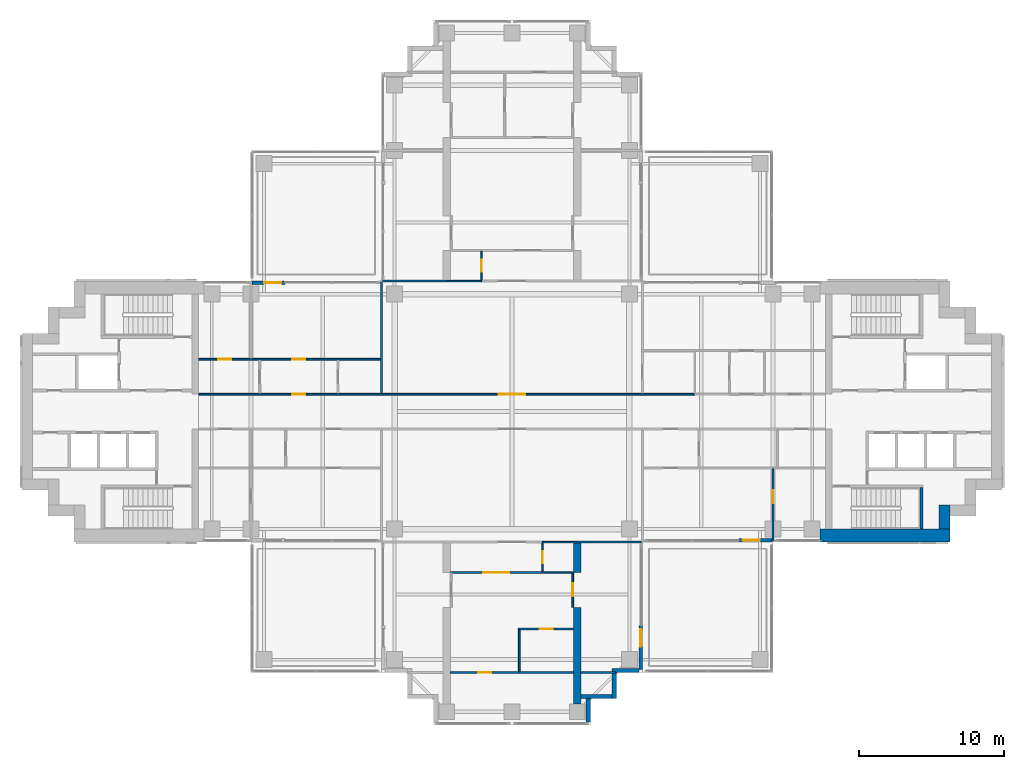
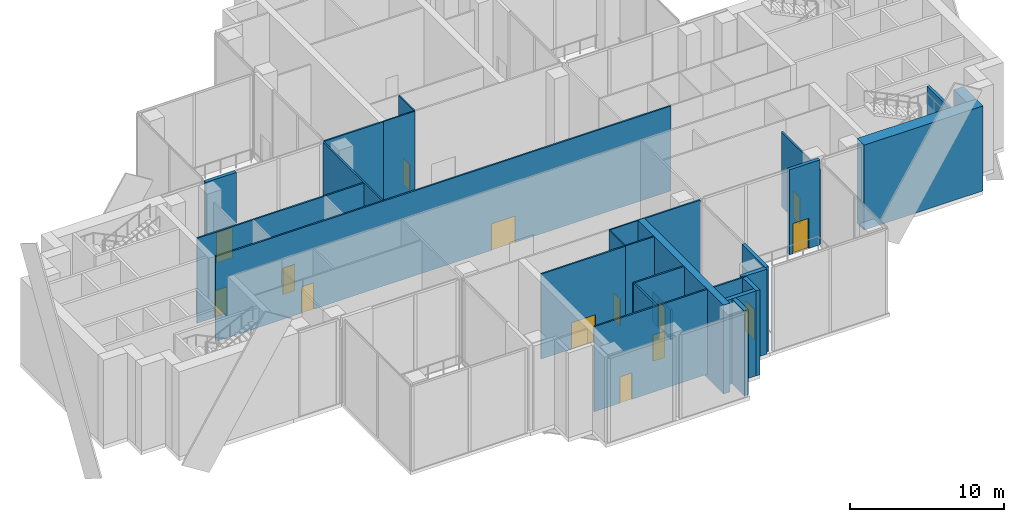
# One storey, part 10 of 17: 28 walls, 14 doors, 14 openings.
"""IFC4 building model written with IfcOpenShell, lengths in metres."""

from ifc_helpers import new_model, si_unit, direction, frame, frame_2d, origin, place, context, subcontext, project, spatial, polyline, rectangle, outline, extrude, material, layer, layer_set, material_profile, profile_set, type_object, element, fill, save


model = new_model("IFC4")

# Units and contexts
model_context = context("Model", 3, precision=1e-05, world=origin(), true_north=direction((0.0, 1.0)))
body_context = subcontext(model_context, "Body", "Model", "MODEL_VIEW")
ifc_project = project(units=[si_unit("LENGTHUNIT", "METRE"), si_unit("AREAUNIT", "SQUARE_METRE"), si_unit("VOLUMEUNIT", "CUBIC_METRE"), si_unit("PLANEANGLEUNIT", "RADIAN"), si_unit("MASSUNIT", "GRAM", prefix="KILO")], contexts=[model_context])

# Site, building, storey
site_placement = place(None, origin())
site = spatial("IfcSite", under=ifc_project, at=site_placement, CompositionType="ELEMENT")
building_placement = place(site_placement, origin())
building = spatial("IfcBuilding", under=site, at=building_placement, Name="Perihelion Cross Residences", CompositionType="ELEMENT")
storey_placement = place(building_placement, frame((0.0, 0.0, 154.89990234375)))
storey = spatial("IfcBuildingStorey", under=building, at=storey_placement, Name="L38", CompositionType="ELEMENT", Elevation=154.89990234375)

# Wall, opening, door
ifc_material_1 = material(Name="Concrete C30/37, bronze-clad", Category="concrete")
ifc_layer_1 = layer(ifc_material_1, 0.25)
ifc_layer_set_1 = layer_set([ifc_layer_1], Name="Bronze-clad pier wall 250")
wall_type_1 = type_object("IfcWallType", Name="Bronze-clad pier wall 250", PredefinedType="SOLIDWALL", material=ifc_layer_set_1)
wall_1_placement = place(storey_placement, frame((-15.64990234375, 8.875, 0.0), z_axis=(0.0, 0.0, 1.0), x_axis=(-1.0, 0.0, 0.0)))
wall_1 = element("IfcWall", 1, at=wall_1_placement, inside=storey, type_object=wall_type_1, Name="Wall FW1 L38 west side north bay 1 pier", PredefinedType="SOLIDWALL", context=body_context, shape_type="SweptSolid", body=[
    extrude(rectangle(XDim=2.2900390625, YDim=0.25, at=frame_2d((1.14501953125, 0.0))), origin(), (0.0, 0.0, 1.0), 6.75),
])
opening_1_placement = place(wall_1_placement, frame((0.25, 0.0, 0.0)))
opening_1 = element("IfcOpeningElement", 2, at=opening_1_placement, cuts=wall_1, Name="Opening L38.E04", PredefinedType="OPENING", context=body_context, shape_type="SweptSolid", body=[
    extrude(rectangle(XDim=1.199951171875, YDim=2.39990234375, at=frame_2d((0.60009765625, 1.199951171875))), frame((0.0, 0.135009765625, 0.0), z_axis=(0.0, -1.0, 0.0), x_axis=(1.0, 0.0, 0.0)), (0.0, 0.0, 1.0), 0.27001953125),
])
ifc_material_2 = material(Name="Bronze anodised aluminium, glazed", Category="aluminium")
door_type_1 = type_object("IfcDoorType", Name="Balcony door 1200 x 2400", OperationType="NOTDEFINED", PredefinedType="DOOR", material=ifc_material_2)
door_1_placement = place(opening_1_placement, origin())
door_1 = element("IfcDoor", 3, at=door_1_placement, inside=storey, type_object=door_type_1, Name="Door L38.E04 west side north bay 1", OperationType="SINGLE_SWING_LEFT", OverallHeight=2.39990234375, OverallWidth=1.199951171875, PredefinedType="DOOR", context=body_context, shape_type="SweptSolid", body=[
    extrude(rectangle(XDim=1.199951171875, YDim=2.39990234375, at=frame_2d((0.60009765625, 1.199951171875))), frame((0.0, 0.02490234375, 0.0), z_axis=(0.0, -1.0, 0.0), x_axis=(1.0, 0.0, 0.0)), (0.0, 0.0, 1.0), 0.050048828125),
])
fill(opening_1, door_1)

wall_2_placement = place(storey_placement, frame((8.875, -17.800048828125, 0.0), z_axis=(0.0, 0.0, 1.0), x_axis=(0.0, 1.0, 0.0)))
wall_2 = element("IfcWall", 4, at=wall_2_placement, inside=storey, type_object=wall_type_1, Name="Wall FW1 L38 south side east bay 1 pier", PredefinedType="SOLIDWALL", context=body_context, shape_type="SweptSolid", body=[
    extrude(rectangle(XDim=3.050048828125, YDim=0.25, at=frame_2d((1.52490234375, 0.0))), origin(), (0.0, 0.0, 1.0), 6.75),
])
opening_2_placement = place(wall_2_placement, frame((1.60009765625, 0.0, 0.0)))
opening_2 = element("IfcOpeningElement", 5, at=opening_2_placement, cuts=wall_2, Name="Opening L38.E07", PredefinedType="OPENING", context=body_context, shape_type="SweptSolid", body=[
    extrude(rectangle(XDim=1.199951171875, YDim=2.39990234375, at=frame_2d((0.60009765625, 1.199951171875))), frame((0.0, 0.135009765625, 0.0), z_axis=(0.0, -1.0, 0.0), x_axis=(1.0, 0.0, 0.0)), (0.0, 0.0, 1.0), 0.27001953125),
])
door_2_placement = place(opening_2_placement, origin())
door_2 = element("IfcDoor", 6, at=door_2_placement, inside=storey, type_object=door_type_1, Name="Door L38.E07 south side east bay 1", OperationType="SINGLE_SWING_RIGHT", OverallHeight=2.39990234375, OverallWidth=1.199951171875, PredefinedType="DOOR", context=body_context, shape_type="SweptSolid", body=[
    extrude(rectangle(XDim=1.199951171875, YDim=2.39990234375, at=frame_2d((0.60009765625, 1.199951171875))), frame((0.0, 0.02490234375, 0.0), z_axis=(0.0, -1.0, 0.0), x_axis=(1.0, 0.0, 0.0)), (0.0, 0.0, 1.0), 0.050048828125),
])
fill(opening_2, door_2)

wall_3_placement = place(storey_placement, frame((15.64990234375, -8.875, 0.0), z_axis=(0.0, 0.0, 1.0), x_axis=(1.0, 0.0, 0.0)))
wall_3 = element("IfcWall", 7, at=wall_3_placement, inside=storey, type_object=wall_type_1, Name="Wall FW1 L38 east side south bay 1 pier", PredefinedType="SOLIDWALL", context=body_context, shape_type="SweptSolid", body=[
    extrude(rectangle(XDim=2.2900390625, YDim=0.25, at=frame_2d((1.14501953125, 0.0))), origin(), (0.0, 0.0, 1.0), 6.75),
])
opening_3_placement = place(wall_3_placement, frame((0.25, 0.0, 0.0)))
opening_3 = element("IfcOpeningElement", 8, at=opening_3_placement, cuts=wall_3, Name="Opening L38.E08", PredefinedType="OPENING", context=body_context, shape_type="SweptSolid", body=[
    extrude(rectangle(XDim=1.199951171875, YDim=2.39990234375, at=frame_2d((0.60009765625, 1.199951171875))), frame((0.0, 0.135009765625, 0.0), z_axis=(0.0, -1.0, 0.0), x_axis=(1.0, 0.0, 0.0)), (0.0, 0.0, 1.0), 0.27001953125),
])
door_3_placement = place(opening_3_placement, origin())
door_3 = element("IfcDoor", 9, at=door_3_placement, inside=storey, type_object=door_type_1, Name="Door L38.E08 east side south bay 1", OperationType="SINGLE_SWING_LEFT", OverallHeight=2.39990234375, OverallWidth=1.199951171875, PredefinedType="DOOR", context=body_context, shape_type="SweptSolid", body=[
    extrude(rectangle(XDim=1.199951171875, YDim=2.39990234375, at=frame_2d((0.60009765625, 1.199951171875))), frame((0.0, 0.02490234375, 0.0), z_axis=(0.0, -1.0, 0.0), x_axis=(1.0, 0.0, 0.0)), (0.0, 0.0, 1.0), 0.050048828125),
])
fill(opening_3, door_3)

# Walls
ifc_material_3 = material(Name="Concrete C30/37, bronze-clad", Category="concrete")
ifc_layer_2 = layer(ifc_material_3, 0.300048828125)
ifc_layer_set_2 = layer_set([ifc_layer_2], Name="Bronze-clad serration wall 300")
wall_type_2 = type_object("IfcWallType", Name="Bronze-clad serration wall 300", PredefinedType="SOLIDWALL", material=ifc_layer_set_2)
wall_4_placement = place(storey_placement, frame((5.25, -21.389892578125, 0.0), z_axis=(0.0, 0.0, 1.0), x_axis=(0.0, 1.0, 0.0)))
element("IfcWall", 10, at=wall_4_placement, inside=storey, type_object=wall_type_2, Name="Wall SR1 L38 south corner south-east 1", PredefinedType="SOLIDWALL", context=body_context, shape_type="SweptSolid", body=[
    extrude(rectangle(XDim=1.58984375, YDim=0.300048828125, at=frame_2d((0.794921875, 0.0))), origin(), (0.0, 0.0, 1.0), 6.75),
])
wall_5_placement = place(storey_placement, frame((4.75, -19.64990234375, 0.0), z_axis=(0.0, 0.0, 1.0), x_axis=(1.0, 0.0, 0.0)))
element("IfcWall", 11, at=wall_5_placement, inside=storey, type_object=wall_type_2, Name="Wall SR1 L38 south corner south-east 2", PredefinedType="SOLIDWALL", context=body_context, shape_type="SweptSolid", body=[
    extrude(rectangle(XDim=2.14990234375, YDim=0.300048828125, at=frame_2d((1.074951171875, 0.0))), origin(), (0.0, 0.0, 1.0), 6.75),
])
wall_6_placement = place(storey_placement, frame((7.050048828125, -19.800048828125, 0.0), z_axis=(0.0, 0.0, 1.0), x_axis=(0.0, 1.0, 0.0)))
element("IfcWall", 12, at=wall_6_placement, inside=storey, type_object=wall_type_2, Name="Wall SR1 L38 south corner south-east 3", PredefinedType="SOLIDWALL", context=body_context, shape_type="SweptSolid", body=[
    extrude(rectangle(XDim=1.800048828125, YDim=0.300048828125, at=frame_2d((0.89990234375, 0.0))), origin(), (0.0, 0.0, 1.0), 6.75),
])
wall_7_placement = place(storey_placement, frame((6.89990234375, -17.85009765625, 0.0), z_axis=(0.0, 0.0, 1.0), x_axis=(1.0, 0.0, 0.0)))
element("IfcWall", 13, at=wall_7_placement, inside=storey, type_object=wall_type_2, Name="Wall SR1 L38 south corner south-east 4", PredefinedType="SOLIDWALL", context=body_context, shape_type="SweptSolid", body=[
    extrude(rectangle(XDim=1.85009765625, YDim=0.300048828125, at=frame_2d((0.925048828125, 0.0))), origin(), (0.0, 0.0, 1.0), 6.75),
])
ifc_material_4 = material(Name="Concrete C60/75", Category="concrete")
ifc_layer_3 = layer(ifc_material_4, 0.75)
ifc_layer_set_3 = layer_set([ifc_layer_3], Name="Core wall, outer 750")
wall_type_3 = type_object("IfcWallType", Name="Core wall, outer 750", PredefinedType="SHEAR", material=ifc_layer_set_3)
wall_8_placement = place(storey_placement, frame((29.824951171875, -8.10009765625, 0.0), z_axis=(0.0, 0.0, 1.0), x_axis=(0.0, 1.0, 0.0)))
element("IfcWall", 14, at=wall_8_placement, inside=storey, type_object=wall_type_3, Name="East core core wall, outer", PredefinedType="SHEAR", context=body_context, shape_type="SweptSolid", body=[
    extrude(rectangle(XDim=1.650146484375, YDim=0.75, at=frame_2d((0.8251953125, 0.0))), origin(), (0.0, 0.0, 1.0), 6.75),
])
ifc_material_5 = material(Name="Concrete C60/75", Category="concrete")
ifc_layer_4 = layer(ifc_material_5, 0.89990234375)
ifc_layer_set_4 = layer_set([ifc_layer_4], Name="Core wall, outer 900")
wall_type_4 = type_object("IfcWallType", Name="Core wall, outer 900", PredefinedType="SHEAR", material=ifc_layer_set_4)
wall_9_placement = place(storey_placement, frame((21.25, -8.550048828125, 0.0), z_axis=(0.0, 0.0, 1.0), x_axis=(1.0, 0.0, 0.0)))
element("IfcWall", 15, at=wall_9_placement, inside=storey, type_object=wall_type_4, Name="East core core wall, outer", PredefinedType="SHEAR", context=body_context, shape_type="SweptSolid", body=[
    extrude(rectangle(XDim=8.949951171875, YDim=0.89990234375, at=frame_2d((4.47509765625, 0.0))), origin(), (0.0, 0.0, 1.0), 6.75),
])

# Wall, opening, door
ifc_material_6 = material(Name="Plasterboard partition")
ifc_layer_5 = layer(ifc_material_6, 0.1201171875)
ifc_layer_set_5 = layer_set([ifc_layer_5], Name="Infill panel 120")
wall_type_5 = type_object("IfcWallType", Name="Infill panel 120", PredefinedType="PARTITIONING", material=ifc_layer_set_5)
wall_10_placement = place(storey_placement, frame((4.18994140625, -11.10009765625, 0.0), z_axis=(0.0, 0.0, 1.0), x_axis=(0.0, -1.0, 0.0)))
wall_10 = element("IfcWall", 16, at=wall_10_placement, inside=storey, type_object=wall_type_5, Name="Partition L38 WI05", PredefinedType="PARTITIONING", context=body_context, shape_type="SweptSolid", body=[
    extrude(rectangle(XDim=2.39990234375, YDim=0.1201171875, at=frame_2d((1.199951171875, 0.0))), origin(), (0.0, 0.0, 1.0), 2.400146484375),
])
opening_4_placement = place(wall_10_placement, frame((0.75, 0.0, 0.0)))
opening_4 = element("IfcOpeningElement", 17, at=opening_4_placement, cuts=wall_10, Name="Opening L38.A38", PredefinedType="OPENING", context=body_context, shape_type="SweptSolid", body=[
    extrude(rectangle(XDim=0.89990234375, YDim=2.10009765625, at=frame_2d((0.449951171875, 1.050048828125))), frame((0.0, 0.070068359375, 0.0), z_axis=(0.0, -1.0, 0.0), x_axis=(1.0, 0.0, 0.0)), (0.0, 0.0, 1.0), 0.14013671875),
])
ifc_material_7 = material(Name="Timber door leaf", Category="wood")
door_type_2 = type_object("IfcDoorType", Name="Interior room door 900 x 2100", OperationType="SINGLE_SWING_LEFT", PredefinedType="DOOR", material=ifc_material_7)
door_4_placement = place(opening_4_placement, origin())
door_4 = element("IfcDoor", 18, at=door_4_placement, inside=storey, type_object=door_type_2, Name="Door L38.A38", OperationType="SINGLE_SWING_LEFT", OverallHeight=2.10009765625, OverallWidth=0.89990234375, PredefinedType="DOOR", context=body_context, shape_type="SweptSolid", body=[
    extrude(rectangle(XDim=0.89990234375, YDim=2.10009765625, at=frame_2d((0.449951171875, 1.050048828125))), frame((0.0, 0.02490234375, 0.0), z_axis=(0.0, -1.0, 0.0), x_axis=(1.0, 0.0, 0.0)), (0.0, 0.0, 1.0), 0.050048828125),
])
fill(opening_4, door_4)

# Wall, openings, doors
ifc_material_8 = material(Name="Plasterboard partition")
ifc_layer_6 = layer(ifc_material_8, 0.1201171875)
ifc_layer_set_6 = layer_set([ifc_layer_6], Name="Partition wall 120")
wall_type_6 = type_object("IfcWallType", Name="Partition wall 120", PredefinedType="PARTITIONING", material=ifc_layer_set_6)
wall_11_placement = place(storey_placement, frame((-21.60009765625, 1.199951171875, 0.0), z_axis=(0.0, 0.0, 1.0), x_axis=(1.0, 0.0, 0.0)))
wall_11 = element("IfcWall", 19, at=wall_11_placement, inside=storey, type_object=wall_type_6, Name="Partition L38 W001", PredefinedType="PARTITIONING", context=body_context, shape_type="SweptSolid", body=[
    extrude(rectangle(XDim=34.2001953125, YDim=0.1201171875, at=frame_2d((17.10009765625, 0.0))), origin(), (0.0, 0.0, 1.0), 6.75),
])
opening_5_placement = place(wall_11_placement, frame((20.699951171875, 0.0, 0.0)))
opening_5 = element("IfcOpeningElement", 20, at=opening_5_placement, cuts=wall_11, Name="Opening L38.A01", PredefinedType="OPENING", context=body_context, shape_type="SweptSolid", body=[
    extrude(rectangle(XDim=1.800048828125, YDim=2.10009765625, at=frame_2d((0.89990234375, 1.050048828125))), frame((0.0, 0.070068359375, 0.0), z_axis=(0.0, -1.0, 0.0), x_axis=(1.0, 0.0, 0.0)), (0.0, 0.0, 1.0), 0.14013671875),
])
opening_6_placement = place(wall_11_placement, frame((6.449951171875, 0.0, 0.0)))
opening_6 = element("IfcOpeningElement", 21, at=opening_6_placement, cuts=wall_11, Name="Opening L38.A07", PredefinedType="OPENING", context=body_context, shape_type="SweptSolid", body=[
    extrude(rectangle(XDim=0.89990234375, YDim=2.10009765625, at=frame_2d((0.449951171875, 1.050048828125))), frame((0.0, 0.070068359375, 0.0), z_axis=(0.0, -1.0, 0.0), x_axis=(1.0, 0.0, 0.0)), (0.0, 0.0, 1.0), 0.14013671875),
])
ifc_material_9 = material(Name="Glazed timber door leaf", Category="wood")
door_type_3 = type_object("IfcDoorType", Name="Interior double leaf door 1800 x 2100", OperationType="DOUBLE_DOOR_SINGLE_SWING", PredefinedType="DOOR", material=ifc_material_9)
door_5_placement = place(opening_5_placement, origin())
door_5 = element("IfcDoor", 22, at=door_5_placement, inside=storey, type_object=door_type_3, Name="Door L38.A01", OperationType="SINGLE_SWING_LEFT", OverallHeight=2.10009765625, OverallWidth=1.800048828125, PredefinedType="DOOR", context=body_context, shape_type="SweptSolid", body=[
    extrude(rectangle(XDim=1.800048828125, YDim=2.10009765625, at=frame_2d((0.89990234375, 1.050048828125))), frame((0.0, 0.02490234375, 0.0), z_axis=(0.0, -1.0, 0.0), x_axis=(1.0, 0.0, 0.0)), (0.0, 0.0, 1.0), 0.050048828125),
])
fill(opening_5, door_5)
door_6_placement = place(opening_6_placement, origin())
door_6 = element("IfcDoor", 23, at=door_6_placement, inside=storey, type_object=door_type_2, Name="Door L38.A07", OperationType="SINGLE_SWING_LEFT", OverallHeight=2.10009765625, OverallWidth=0.89990234375, PredefinedType="DOOR", context=body_context, shape_type="SweptSolid", body=[
    extrude(rectangle(XDim=0.89990234375, YDim=2.10009765625, at=frame_2d((0.449951171875, 1.050048828125))), frame((0.0, 0.02490234375, 0.0), z_axis=(0.0, -1.0, 0.0), x_axis=(1.0, 0.0, 0.0)), (0.0, 0.0, 1.0), 0.050048828125),
])
fill(opening_6, door_6)

# Walls
wall_12_placement = place(storey_placement, frame((-9.0, 1.260009765625, 0.0), z_axis=(0.0, 0.0, 1.0), x_axis=(0.0, 1.0, 0.0)))
element("IfcWall", 24, at=wall_12_placement, inside=storey, type_object=wall_type_6, Name="Partition L38 W009", PredefinedType="PARTITIONING", context=body_context, shape_type="SweptSolid", body=[
    extrude(rectangle(XDim=7.659912109375, YDim=0.1201171875, at=frame_2d((3.830078125, 0.0))), origin(), (0.0, 0.0, 1.0), 6.75),
])
for number, where, z_axis, x_axis, name in (
    (25, (-8.919921875, 9.0, 0.0), (0.0, 0.0, 1.0), (1.0, 0.0, 0.0), "Partition L38 W012"),
    (26, (8.919921875, -9.0, 0.0), (0.0, 0.0, 1.0), (-1.0, 0.0, 0.0), "Partition L38 W017"),
):
    element("IfcWall", number, at=place(storey_placement, frame(where, z_axis=z_axis, x_axis=x_axis)), inside=storey, type_object=wall_type_6, Name=name, PredefinedType="PARTITIONING", context=body_context, shape_type="SweptSolid", body=[
        extrude(rectangle(XDim=4.419921875, YDim=0.1201171875, at=frame_2d((2.2099609375, 0.0))), origin(), (0.0, 0.0, 1.0), 6.75),
    ])

# Wall, opening, door
wall_13_placement = place(storey_placement, frame((18.0, -3.9599609375, 0.0), z_axis=(0.0, 0.0, 1.0), x_axis=(0.0, -1.0, 0.0)))
wall_13 = element("IfcWall", 27, at=wall_13_placement, inside=storey, type_object=wall_type_6, Name="Partition L38 W025", PredefinedType="PARTITIONING", context=body_context, shape_type="SweptSolid", body=[
    extrude(rectangle(XDim=4.9599609375, YDim=0.1201171875, at=frame_2d((2.47998046875, 0.0))), origin(), (0.0, 0.0, 1.0), 5.9140625),
])
opening_7_placement = place(wall_13_placement, frame((1.469970703125, 0.0, 0.0)))
opening_7 = element("IfcOpeningElement", 28, at=opening_7_placement, cuts=wall_13, Name="Opening L38.A21", PredefinedType="OPENING", context=body_context, shape_type="SweptSolid", body=[
    extrude(rectangle(XDim=0.89990234375, YDim=2.10009765625, at=frame_2d((0.449951171875, 1.050048828125))), frame((0.0, 0.070068359375, 0.0), z_axis=(0.0, -1.0, 0.0), x_axis=(1.0, 0.0, 0.0)), (0.0, 0.0, 1.0), 0.14013671875),
])
door_7_placement = place(opening_7_placement, origin())
door_7 = element("IfcDoor", 29, at=door_7_placement, inside=storey, type_object=door_type_2, Name="Door L38.A21", OperationType="SINGLE_SWING_LEFT", OverallHeight=2.10009765625, OverallWidth=0.89990234375, PredefinedType="DOOR", context=body_context, shape_type="SweptSolid", body=[
    extrude(rectangle(XDim=0.89990234375, YDim=2.10009765625, at=frame_2d((0.449951171875, 1.050048828125))), frame((0.0, 0.02490234375, 0.0), z_axis=(0.0, -1.0, 0.0), x_axis=(1.0, 0.0, 0.0)), (0.0, 0.0, 1.0), 0.050048828125),
])
fill(opening_7, door_7)

# Wall, openings, doors
wall_14_placement = place(storey_placement, frame((-8.93994140625, 3.60009765625, 0.0), z_axis=(0.0, 0.0, 1.0), x_axis=(-1.0, 0.0, 0.0)))
wall_14 = element("IfcWall", 30, at=wall_14_placement, inside=storey, type_object=wall_type_6, Name="Partition L38 W031", PredefinedType="PARTITIONING", context=body_context, shape_type="SweptSolid", body=[
    extrude(rectangle(XDim=12.66015625, YDim=0.1201171875, at=frame_2d((6.330078125, 0.0))), origin(), (0.0, 0.0, 1.0), 6.75),
])
opening_8_placement = place(wall_14_placement, frame((10.409912109375, 0.0, 0.0)))
opening_8 = element("IfcOpeningElement", 31, at=opening_8_placement, cuts=wall_14, Name="Opening L38.A17", PredefinedType="OPENING", context=body_context, shape_type="SweptSolid", body=[
    extrude(rectangle(XDim=0.89990234375, YDim=2.10009765625, at=frame_2d((0.449951171875, 1.050048828125))), frame((0.0, 0.070068359375, 0.0), z_axis=(0.0, -1.0, 0.0), x_axis=(1.0, 0.0, 0.0)), (0.0, 0.0, 1.0), 0.14013671875),
])
opening_9_placement = place(wall_14_placement, frame((5.31005859375, 0.0, 0.0)))
opening_9 = element("IfcOpeningElement", 32, at=opening_9_placement, cuts=wall_14, Name="Opening L38.A18", PredefinedType="OPENING", context=body_context, shape_type="SweptSolid", body=[
    extrude(rectangle(XDim=0.89990234375, YDim=2.10009765625, at=frame_2d((0.449951171875, 1.050048828125))), frame((0.0, 0.070068359375, 0.0), z_axis=(0.0, -1.0, 0.0), x_axis=(1.0, 0.0, 0.0)), (0.0, 0.0, 1.0), 0.14013671875),
])
door_8_placement = place(opening_8_placement, origin())
door_8 = element("IfcDoor", 33, at=door_8_placement, inside=storey, type_object=door_type_2, Name="Door L38.A17", OperationType="SINGLE_SWING_LEFT", OverallHeight=2.10009765625, OverallWidth=0.89990234375, PredefinedType="DOOR", context=body_context, shape_type="SweptSolid", body=[
    extrude(rectangle(XDim=0.89990234375, YDim=2.10009765625, at=frame_2d((0.449951171875, 1.050048828125))), frame((0.0, 0.02490234375, 0.0), z_axis=(0.0, -1.0, 0.0), x_axis=(1.0, 0.0, 0.0)), (0.0, 0.0, 1.0), 0.050048828125),
])
fill(opening_8, door_8)
door_9_placement = place(opening_9_placement, origin())
door_9 = element("IfcDoor", 34, at=door_9_placement, inside=storey, type_object=door_type_2, Name="Door L38.A18", OperationType="SINGLE_SWING_RIGHT", OverallHeight=2.10009765625, OverallWidth=0.89990234375, PredefinedType="DOOR", context=body_context, shape_type="SweptSolid", body=[
    extrude(rectangle(XDim=0.89990234375, YDim=2.10009765625, at=frame_2d((0.449951171875, 1.050048828125))), frame((0.0, 0.02490234375, 0.0), z_axis=(0.0, -1.0, 0.0), x_axis=(1.0, 0.0, 0.0)), (0.0, 0.0, 1.0), 0.050048828125),
])
fill(opening_9, door_9)

# Wall, opening, door
wall_15_placement = place(storey_placement, frame((2.10009765625, -11.10009765625, 0.0), z_axis=(0.0, 0.0, 1.0), x_axis=(-1.0, 0.0, 0.0)))
wall_15 = element("IfcWall", 35, at=wall_15_placement, inside=storey, type_object=wall_type_6, Name="Partition L38 W050", PredefinedType="PARTITIONING", context=body_context, shape_type="SweptSolid", body=[
    extrude(rectangle(XDim=6.35009765625, YDim=0.1201171875, at=frame_2d((3.175048828125, 0.0))), origin(), (0.0, 0.0, 1.0), 6.75),
])
opening_10_placement = place(wall_15_placement, frame((2.27490234375, 0.0, 0.0)))
opening_10 = element("IfcOpeningElement", 36, at=opening_10_placement, cuts=wall_15, Name="Opening L38.A31", PredefinedType="OPENING", context=body_context, shape_type="SweptSolid", body=[
    extrude(rectangle(XDim=1.800048828125, YDim=2.10009765625, at=frame_2d((0.89990234375, 1.050048828125))), frame((0.0, 0.070068359375, 0.0), z_axis=(0.0, -1.0, 0.0), x_axis=(1.0, 0.0, 0.0)), (0.0, 0.0, 1.0), 0.14013671875),
])
door_10_placement = place(opening_10_placement, origin())
door_10 = element("IfcDoor", 37, at=door_10_placement, inside=storey, type_object=door_type_3, Name="Door L38.A31", OperationType="SINGLE_SWING_LEFT", OverallHeight=2.10009765625, OverallWidth=1.800048828125, PredefinedType="DOOR", context=body_context, shape_type="SweptSolid", body=[
    extrude(rectangle(XDim=1.800048828125, YDim=2.10009765625, at=frame_2d((0.89990234375, 1.050048828125))), frame((0.0, 0.02490234375, 0.0), z_axis=(0.0, -1.0, 0.0), x_axis=(1.0, 0.0, 0.0)), (0.0, 0.0, 1.0), 0.050048828125),
])
fill(opening_10, door_10)

wall_16_placement = place(storey_placement, frame((4.25, -15.0, 0.0), z_axis=(0.0, 0.0, 1.0), x_axis=(-1.0, 0.0, 0.0)))
wall_16 = element("IfcWall", 38, at=wall_16_placement, inside=storey, type_object=wall_type_6, Name="Partition L38 W052", PredefinedType="PARTITIONING", context=body_context, shape_type="SweptSolid", body=[
    extrude(rectangle(XDim=3.81005859375, YDim=0.1201171875, at=frame_2d((1.905029296875, 0.0))), origin(), (0.0, 0.0, 1.0), 6.75),
])
opening_11_placement = place(wall_16_placement, frame((1.425048828125, 0.0, 0.0)))
opening_11 = element("IfcOpeningElement", 39, at=opening_11_placement, cuts=wall_16, Name="Opening L38.A32", PredefinedType="OPENING", context=body_context, shape_type="SweptSolid", body=[
    extrude(rectangle(XDim=0.89990234375, YDim=2.10009765625, at=frame_2d((0.449951171875, 1.050048828125))), frame((0.0, 0.070068359375, 0.0), z_axis=(0.0, -1.0, 0.0), x_axis=(1.0, 0.0, 0.0)), (0.0, 0.0, 1.0), 0.14013671875),
])
door_11_placement = place(opening_11_placement, origin())
door_11 = element("IfcDoor", 40, at=door_11_placement, inside=storey, type_object=door_type_2, Name="Door L38.A32", OperationType="SINGLE_SWING_LEFT", OverallHeight=2.10009765625, OverallWidth=0.89990234375, PredefinedType="DOOR", context=body_context, shape_type="SweptSolid", body=[
    extrude(rectangle(XDim=0.89990234375, YDim=2.10009765625, at=frame_2d((0.449951171875, 1.050048828125))), frame((0.0, 0.02490234375, 0.0), z_axis=(0.0, -1.0, 0.0), x_axis=(1.0, 0.0, 0.0)), (0.0, 0.0, 1.0), 0.050048828125),
])
fill(opening_11, door_11)

# Wall
wall_17_placement = place(storey_placement, frame((0.5, -15.06005859375, 0.0), z_axis=(0.0, 0.0, 1.0), x_axis=(0.0, -1.0, 0.0)))
element("IfcWall", 41, at=wall_17_placement, inside=storey, type_object=wall_type_6, Name="Partition L38 W053", PredefinedType="PARTITIONING", context=body_context, shape_type="SweptSolid", body=[
    extrude(rectangle(XDim=2.8798828125, YDim=0.1201171875, at=frame_2d((1.43994140625, 0.0))), origin(), (0.0, 0.0, 1.0), 6.75),
])

# Wall, opening, door
wall_18_placement = place(storey_placement, frame((4.25, -18.0, 0.0), z_axis=(0.0, 0.0, 1.0), x_axis=(-1.0, 0.0, 0.0)))
wall_18 = element("IfcWall", 42, at=wall_18_placement, inside=storey, type_object=wall_type_6, Name="Partition L38 W054", PredefinedType="PARTITIONING", context=body_context, shape_type="SweptSolid", body=[
    extrude(rectangle(XDim=8.5, YDim=0.1201171875, at=frame_2d((4.25, 0.0))), origin(), (0.0, 0.0, 1.0), 6.75),
])
opening_12_placement = place(wall_18_placement, frame((5.675048828125, 0.0, 0.0)))
opening_12 = element("IfcOpeningElement", 43, at=opening_12_placement, cuts=wall_18, Name="Opening L38.A33", PredefinedType="OPENING", context=body_context, shape_type="SweptSolid", body=[
    extrude(rectangle(XDim=0.89990234375, YDim=2.10009765625, at=frame_2d((0.449951171875, 1.050048828125))), frame((0.0, 0.070068359375, 0.0), z_axis=(0.0, -1.0, 0.0), x_axis=(1.0, 0.0, 0.0)), (0.0, 0.0, 1.0), 0.14013671875),
])
door_12_placement = place(opening_12_placement, origin())
door_12 = element("IfcDoor", 44, at=door_12_placement, inside=storey, type_object=door_type_2, Name="Door L38.A33", OperationType="SINGLE_SWING_RIGHT", OverallHeight=2.10009765625, OverallWidth=0.89990234375, PredefinedType="DOOR", context=body_context, shape_type="SweptSolid", body=[
    extrude(rectangle(XDim=0.89990234375, YDim=2.10009765625, at=frame_2d((0.449951171875, 1.050048828125))), frame((0.0, 0.02490234375, 0.0), z_axis=(0.0, -1.0, 0.0), x_axis=(1.0, 0.0, 0.0)), (0.0, 0.0, 1.0), 0.050048828125),
])
fill(opening_12, door_12)

# Walls
wall_19_placement = place(storey_placement, frame((7.1201171875, -18.0, 0.0), z_axis=(0.0, 0.0, 1.0), x_axis=(-1.0, 0.0, 0.0)))
element("IfcWall", 45, at=wall_19_placement, inside=storey, type_object=wall_type_6, Name="Partition L38 W055", PredefinedType="PARTITIONING", context=body_context, shape_type="SweptSolid", body=[
    extrude(rectangle(XDim=2.3701171875, YDim=0.1201171875, at=frame_2d((1.18505859375, 0.0))), origin(), (0.0, 0.0, 1.0), 6.75),
])
ifc_material_10 = material(Name="Concrete C50/60", Category="concrete")
ifc_layer_7 = layer(ifc_material_10, 0.199951171875)
ifc_layer_set_7 = layer_set([ifc_layer_7], Name="Stair wall 200")
wall_type_7 = type_object("IfcWallType", Name="Stair wall 200", PredefinedType="SOLIDWALL", material=ifc_layer_set_7)
wall_20_placement = place(storey_placement, frame((28.25, -8.10009765625, 0.0), z_axis=(0.0, 0.0, 1.0), x_axis=(0.0, 1.0, 0.0)))
element("IfcWall", 46, at=wall_20_placement, inside=storey, type_object=wall_type_7, Name="East core stair wall", PredefinedType="SOLIDWALL", context=body_context, shape_type="SweptSolid", body=[
    extrude(rectangle(XDim=2.85009765625, YDim=0.199951171875, at=frame_2d((1.425048828125, 0.0))), origin(), (0.0, 0.0, 1.0), 6.75),
])
ifc_material_11 = material(Name="Concrete C60/75", Category="concrete")
ifc_material_profile = material_profile(ifc_material_11, outline(polyline([(0.0, 0.0), (6.64990234375, 0.0), (6.64990234375, 2.699951171875), (9.050048828125, 2.699951171875), (9.050048828125, 0.0), (11.14990234375, 0.0), (11.14990234375, 7.050048828125), (0.0, 7.050048828125), (0.0, 0.0)])), Name="Tip spine wall")
ifc_profile_set = profile_set([ifc_material_profile], Name="Concrete C60/75")
wall_type_8 = type_object("IfcWallType", Name="Tip spine wall 500 with 1 door openings 11150 long 7050 high concrete C60/75", PredefinedType="SHEAR", material=ifc_profile_set)
wall_21_placement = place(storey_placement, frame((4.25, -20.14990234375, -0.2998046875), z_axis=(1.0, 0.0, 0.0), x_axis=(0.0, 1.0, 0.0)))
element("IfcWall", 47, at=wall_21_placement, inside=storey, type_object=wall_type_8, Name="Shear wall SW37 L38 south east", PredefinedType="SHEAR", context=body_context, shape_type="SweptSolid", body=[
    extrude(outline(polyline([(0.0, 0.0), (6.64990234375, 0.0), (6.64990234375, 2.699951171875), (9.050048828125, 2.699951171875), (9.050048828125, 0.0), (11.14990234375, 0.0), (11.14990234375, 7.050048828125), (0.0, 7.050048828125), (0.0, 0.0)])), origin(), (0.0, 0.0, 1.0), 0.5),
])
ifc_material_12 = material(Name="Plasterboard partition")
ifc_layer_8 = layer(ifc_material_12, 0.10009765625)
ifc_layer_set_8 = layer_set([ifc_layer_8], Name="Wet room wall 100")
wall_type_9 = type_object("IfcWallType", Name="Wet room wall 100", PredefinedType="PARTITIONING", material=ifc_layer_set_8)
for number, where, z_axis, x_axis, name in (
    (48, (-4.5, 9.0, 0.0), (0.0, 0.0, 1.0), (1.0, 0.0, 0.0), "Partition L38 W011"),
    (49, (4.5, -9.0, 0.0), (0.0, 0.0, 1.0), (-1.0, 0.0, 0.0), "Partition L38 W016"),
):
    element("IfcWall", number, at=place(storey_placement, frame(where, z_axis=z_axis, x_axis=x_axis)), inside=storey, type_object=wall_type_9, Name=name, PredefinedType="PARTITIONING", context=body_context, shape_type="SweptSolid", body=[
        extrude(rectangle(XDim=2.39990234375, YDim=0.10009765625, at=frame_2d((1.199951171875, 0.0))), origin(), (0.0, 0.0, 1.0), 6.75),
    ])

# Wall, opening, door
wall_22_placement = place(storey_placement, frame((-2.10009765625, 9.06005859375, 0.0), z_axis=(0.0, 0.0, 1.0), x_axis=(0.0, 1.0, 0.0)))
wall_22 = element("IfcWall", 50, at=wall_22_placement, inside=storey, type_object=wall_type_9, Name="Partition L38 W039", PredefinedType="PARTITIONING", context=body_context, shape_type="SweptSolid", body=[
    extrude(rectangle(XDim=1.97998046875, YDim=0.10009765625, at=frame_2d((0.989990234375, 0.0))), origin(), (0.0, 0.0, 1.0), 6.75),
])
opening_13_placement = place(wall_22_placement, frame((0.56494140625, 0.0, 0.0)))
opening_13 = element("IfcOpeningElement", 51, at=opening_13_placement, cuts=wall_22, Name="Opening L38.A24", PredefinedType="OPENING", context=body_context, shape_type="SweptSolid", body=[
    extrude(rectangle(XDim=0.85009765625, YDim=2.10009765625, at=frame_2d((0.425048828125, 1.050048828125))), frame((0.0, 0.06005859375, 0.0), z_axis=(0.0, -1.0, 0.0), x_axis=(1.0, 0.0, 0.0)), (0.0, 0.0, 1.0), 0.1201171875),
])
ifc_material_13 = material(Name="Timber door leaf", Category="wood")
door_type_4 = type_object("IfcDoorType", Name="Interior bathroom door 850 x 2100", OperationType="SINGLE_SWING_LEFT", PredefinedType="DOOR", material=ifc_material_13)
door_13_placement = place(opening_13_placement, origin())
door_13 = element("IfcDoor", 52, at=door_13_placement, inside=storey, type_object=door_type_4, Name="Door L38.A24", OperationType="SINGLE_SWING_LEFT", OverallHeight=2.10009765625, OverallWidth=0.85009765625, PredefinedType="DOOR", context=body_context, shape_type="SweptSolid", body=[
    extrude(rectangle(XDim=0.85009765625, YDim=2.10009765625, at=frame_2d((0.425048828125, 1.050048828125))), frame((0.0, 0.02490234375, 0.0), z_axis=(0.0, -1.0, 0.0), x_axis=(1.0, 0.0, 0.0)), (0.0, 0.0, 1.0), 0.050048828125),
])
fill(opening_13, door_13)

wall_23_placement = place(storey_placement, frame((2.10009765625, -9.06005859375, 0.0), z_axis=(0.0, 0.0, 1.0), x_axis=(0.0, -1.0, 0.0)))
wall_23 = element("IfcWall", 53, at=wall_23_placement, inside=storey, type_object=wall_type_9, Name="Partition L38 W049", PredefinedType="PARTITIONING", context=body_context, shape_type="SweptSolid", body=[
    extrude(rectangle(XDim=1.97998046875, YDim=0.10009765625, at=frame_2d((0.989990234375, 0.0))), origin(), (0.0, 0.0, 1.0), 6.75),
])
opening_14_placement = place(wall_23_placement, frame((0.56494140625, 0.0, 0.0)))
opening_14 = element("IfcOpeningElement", 54, at=opening_14_placement, cuts=wall_23, Name="Opening L38.A30", PredefinedType="OPENING", context=body_context, shape_type="SweptSolid", body=[
    extrude(rectangle(XDim=0.85009765625, YDim=2.10009765625, at=frame_2d((0.425048828125, 1.050048828125))), frame((0.0, 0.06005859375, 0.0), z_axis=(0.0, -1.0, 0.0), x_axis=(1.0, 0.0, 0.0)), (0.0, 0.0, 1.0), 0.1201171875),
])
door_14_placement = place(opening_14_placement, origin())
door_14 = element("IfcDoor", 55, at=door_14_placement, inside=storey, type_object=door_type_4, Name="Door L38.A30", OperationType="SINGLE_SWING_LEFT", OverallHeight=2.10009765625, OverallWidth=0.85009765625, PredefinedType="DOOR", context=body_context, shape_type="SweptSolid", body=[
    extrude(rectangle(XDim=0.85009765625, YDim=2.10009765625, at=frame_2d((0.425048828125, 1.050048828125))), frame((0.0, 0.02490234375, 0.0), z_axis=(0.0, -1.0, 0.0), x_axis=(1.0, 0.0, 0.0)), (0.0, 0.0, 1.0), 0.050048828125),
])
fill(opening_14, door_14)

# Wall
wall_24_placement = place(storey_placement, frame((4.25, -11.10009765625, 0.0), z_axis=(0.0, 0.0, 1.0), x_axis=(-1.0, 0.0, 0.0)))
element("IfcWall", 56, at=wall_24_placement, inside=storey, type_object=wall_type_9, Name="Partition L38 W051", PredefinedType="PARTITIONING", context=body_context, shape_type="SweptSolid", body=[
    extrude(rectangle(XDim=2.14990234375, YDim=0.10009765625, at=frame_2d((1.074951171875, 0.0))), origin(), (0.0, 0.0, 1.0), 6.75),
])

save(model, "model.ifc")
